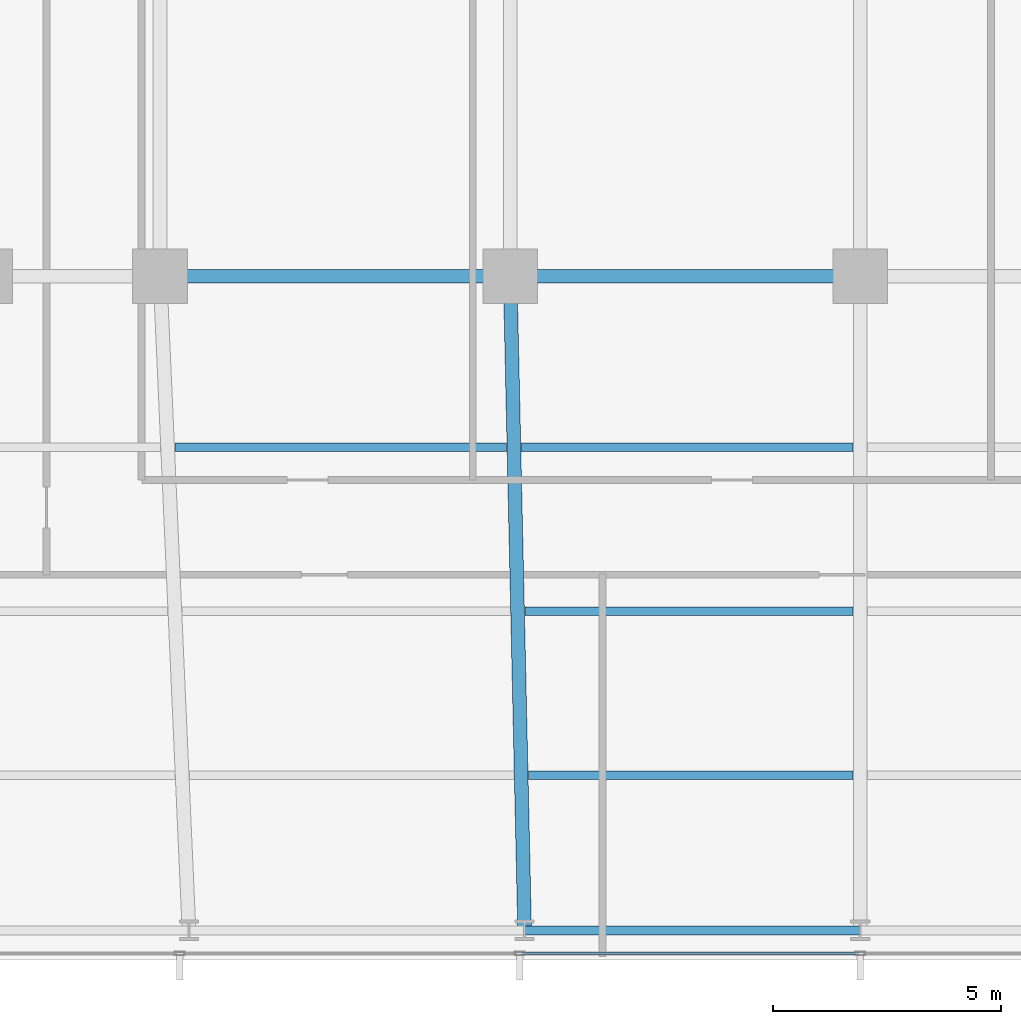
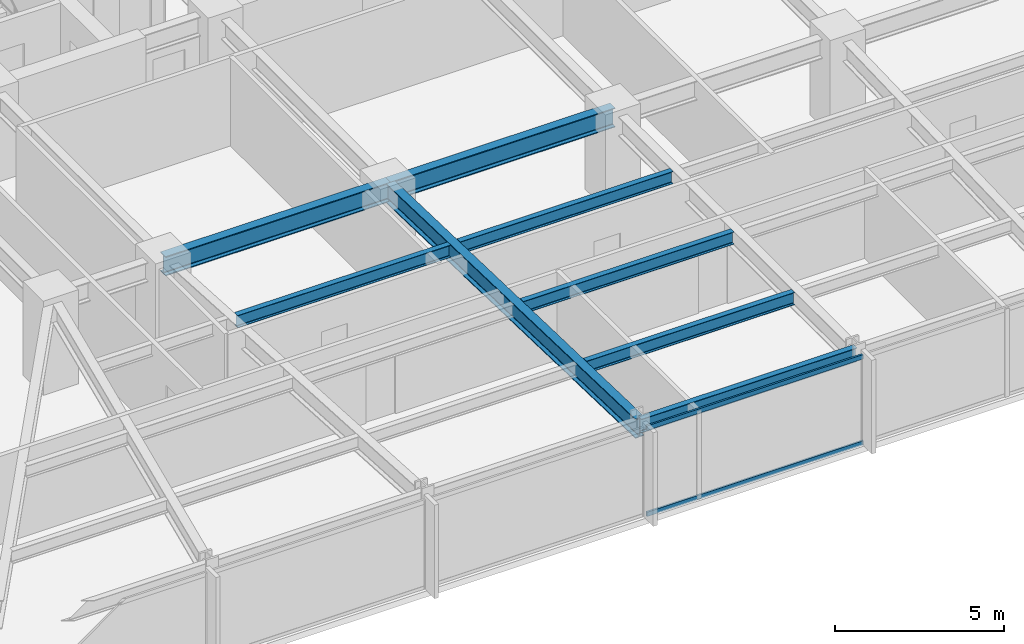
# One storey, part 6 of 32: 8 beams, 2 members, 1 element without a shape of its own.
"""IFC4 building model written with IfcOpenShell, lengths in metres."""

from ifc_helpers import new_model, si_unit, direction, frame, origin, origin_2d, place, context, subcontext, project, spatial, hollow_rectangle, i_section, extrude, material, material_profile, profile_set, type_object, element, aggregate, save


model = new_model("IFC4")

# Units and contexts
model_context = context("Model", 3, precision=1e-05, world=origin(), true_north=direction((0.0, 1.0)))
body_context = subcontext(model_context, "Body", "Model", "MODEL_VIEW")
ifc_project = project(units=[si_unit("LENGTHUNIT", "METRE"), si_unit("AREAUNIT", "SQUARE_METRE"), si_unit("VOLUMEUNIT", "CUBIC_METRE"), si_unit("PLANEANGLEUNIT", "RADIAN"), si_unit("MASSUNIT", "GRAM", prefix="KILO")], contexts=[model_context])

# Site, building, storey
site_placement = place(None, origin())
site = spatial("IfcSite", under=ifc_project, at=site_placement, CompositionType="ELEMENT")
building_placement = place(site_placement, origin())
building = spatial("IfcBuilding", under=site, at=building_placement, Name="Yelkora Congress Tower", CompositionType="ELEMENT")
storey_placement = place(building_placement, frame((0.0, 0.0, 33.800048828125)))
storey = spatial("IfcBuildingStorey", under=building, at=storey_placement, Name="L07", CompositionType="ELEMENT", Elevation=33.800048828125)

# Beams
ifc_material_1 = material(Name="Steel S355J2", Category="steel")
ifc_material_profile_1 = material_profile(ifc_material_1, i_section(OverallWidth=0.300048828125, OverallDepth=0.699951171875, WebThickness=0.01708984375, FlangeThickness=0.031982421875, FilletRadius=0.027099609375, at=origin_2d()), Name="HEB 700")
ifc_profile_set_1 = profile_set([ifc_material_profile_1], Name="Steel S355J2")
beam_type_1 = type_object("IfcBeamType", Name="BM-GIRD-HEB700", PredefinedType="BEAM", material=ifc_profile_set_1)
for number, where, z_axis, x_axis, name in (
    (1, (23.0400390625, 25.199951171875, 2.829833984375), (1.0, 0.0, 0.0), (0.0, 1.0, 0.0), "L07 Spine Grid D Girder 2"),
    (2, (30.719970703125, 25.199951171875, 2.829833984375), (1.0, 0.0, 0.0), (0.0, 1.0, 0.0), "L07 Spine Grid D Girder 3"),
):
    element("IfcBeam", number, at=place(storey_placement, frame(where, z_axis=z_axis, x_axis=x_axis)), inside=storey, type_object=beam_type_1, Name=name, PredefinedType="BEAM", context=body_context, shape_type="SweptSolid", body=[
        extrude(i_section(OverallWidth=0.300048828125, OverallDepth=0.699951171875, WebThickness=0.01708984375, FlangeThickness=0.031982421875, FilletRadius=0.027099609375, at=origin_2d()), origin(), (0.0, 0.0, 1.0), 7.679931640625),
    ])
beam_1_placement = place(storey_placement, frame((31.03759765625, 10.85009765625, 2.829833984375), z_axis=(-0.022129088136, 0.999755121746, 0.0), x_axis=(-0.999755121746, -0.022129088136, 0.0)))
element("IfcBeam", 3, at=beam_1_placement, inside=storey, type_object=beam_type_1, Name="L07 Primary Frame Girder S04", PredefinedType="BEAM", context=body_context, shape_type="SweptSolid", body=[
    extrude(i_section(OverallWidth=0.300048828125, OverallDepth=0.699951171875, WebThickness=0.01708984375, FlangeThickness=0.031982421875, FilletRadius=0.027099609375, at=origin_2d()), origin(), (0.0, 0.0, 1.0), 14.353271484375),
])
ifc_material_profile_2 = material_profile(ifc_material_1, i_section(OverallWidth=0.18994140625, OverallDepth=0.449951171875, WebThickness=0.009521484375, FlangeThickness=0.0146484375, FilletRadius=0.02099609375, at=origin_2d()), Name="IPE 450")
ifc_profile_set_2 = profile_set([ifc_material_profile_2], Name="Steel S355J2")
beam_type_2 = type_object("IfcBeamType", Name="BM-JOIST-IPE450", PredefinedType="JOIST", material=ifc_profile_set_2)
beam_2_placement = place(storey_placement, frame((31.122314453125, 14.25, 2.954833984375), z_axis=(1.0, 0.0, 0.0), x_axis=(0.0, 1.0, 0.0)))
element("IfcBeam", 4, at=beam_2_placement, inside=storey, type_object=beam_type_2, Name="L07 Composite Floor Joist 4", PredefinedType="JOIST", context=body_context, shape_type="SweptSolid", body=[
    extrude(i_section(OverallWidth=0.18994140625, OverallDepth=0.449951171875, WebThickness=0.009521484375, FlangeThickness=0.0146484375, FilletRadius=0.02099609375, at=origin_2d()), origin(), (0.0, 0.0, 1.0), 7.11767578125),
])
beam_3_placement = place(storey_placement, frame((31.04248046875, 17.85009765625, 2.954833984375), z_axis=(1.0, 0.0, 0.0), x_axis=(0.0, 1.0, 0.0)))
element("IfcBeam", 5, at=beam_3_placement, inside=storey, type_object=beam_type_2, Name="L07 Composite Floor Joist 12", PredefinedType="JOIST", context=body_context, shape_type="SweptSolid", body=[
    extrude(i_section(OverallWidth=0.18994140625, OverallDepth=0.449951171875, WebThickness=0.009521484375, FlangeThickness=0.0146484375, FilletRadius=0.02099609375, at=origin_2d()), origin(), (0.0, 0.0, 1.0), 7.197509765625),
])
for number, where, z_axis, x_axis, name in (
    (6, (23.365966796875, 21.449951171875, 2.954833984375), (1.0, 0.0, 0.0), (0.0, 1.0, 0.0), "L07 Composite Floor Joist 18"),
    (7, (30.962890625, 21.449951171875, 2.954833984375), (1.0, 0.0, 0.0), (0.0, 1.0, 0.0), "L07 Composite Floor Joist 19"),
):
    element("IfcBeam", number, at=place(storey_placement, frame(where, z_axis=z_axis, x_axis=x_axis)), inside=storey, type_object=beam_type_2, Name=name, PredefinedType="JOIST", context=body_context, shape_type="SweptSolid", body=[
        extrude(i_section(OverallWidth=0.18994140625, OverallDepth=0.449951171875, WebThickness=0.009521484375, FlangeThickness=0.0146484375, FilletRadius=0.02099609375, at=origin_2d()), origin(), (0.0, 0.0, 1.0), 7.277099609375),
    ])
ifc_material_profile_3 = material_profile(ifc_material_1, i_section(OverallWidth=0.199951171875, OverallDepth=0.5, WebThickness=0.01025390625, FlangeThickness=0.01611328125, FilletRadius=0.02099609375, at=origin_2d()), Name="IPE 500")
ifc_profile_set_3 = profile_set([ifc_material_profile_3], Name="Steel S355J2")
beam_type_3 = type_object("IfcBeamType", Name="BM-SPAN-IPE500", PredefinedType="SPANDREL", material=ifc_profile_set_3)
beam_4_placement = place(storey_placement, frame((31.03759765625, 10.85009765625, 2.929931640625), z_axis=(1.0, 0.0, 0.0), x_axis=(0.0, 1.0, 0.0)))
element("IfcBeam", 8, at=beam_4_placement, inside=storey, type_object=beam_type_3, Name="L07 Perimeter Beam 5", PredefinedType="SPANDREL", context=body_context, shape_type="SweptSolid", body=[
    extrude(i_section(OverallWidth=0.199951171875, OverallDepth=0.5, WebThickness=0.01025390625, FlangeThickness=0.01611328125, FilletRadius=0.02099609375, at=origin_2d()), origin(), (0.0, 0.0, 1.0), 7.3623046875),
])

# Curtain wall, members
ifc_material_2 = material(Name="Anodised aluminium and insulated glass", Category="aluminium")
curtain_wall_type = type_object("IfcCurtainWallType", Name="CW-SYS-B1", PredefinedType="NOTDEFINED", material=ifc_material_2)
curtain_wall_placement = place(storey_placement, origin())
curtain_wall = element("IfcCurtainWall", 9, at=curtain_wall_placement, inside=storey, type_object=curtain_wall_type, Name="L07 Unitised Curtain Wall 20", PredefinedType="NOTDEFINED")
ifc_material_3 = material(Name="Anodised aluminium 6063-T6", Category="aluminium")
ifc_material_profile_4 = material_profile(ifc_material_3, hollow_rectangle(XDim=0.06494140625, YDim=0.159912109375, WallThickness=0.00390625, at=origin_2d()), Name="ALU 65x160x4")
ifc_profile_set_4 = profile_set([ifc_material_profile_4], Name="Anodised aluminium 6063-T6")
member_type = type_object("IfcMemberType", Name="MEM-TR-B1", PredefinedType="USERDEFINED", material=ifc_profile_set_4)
member_1_placement = place(storey_placement, frame((38.362548828125, 10.340087890625, 0.032470703125), z_axis=(-1.0, 0.0, 0.0), x_axis=(0.0, -1.0, 0.0)))
member_1 = element("IfcMember", 10, at=member_1_placement, type_object=member_type, Name="CW-B1 transom 5.1", ObjectType="TRANSOM", PredefinedType="USERDEFINED", context=body_context, shape_type="SweptSolid", body=[
    extrude(hollow_rectangle(XDim=0.06494140625, YDim=0.159912109375, WallThickness=0.00390625, at=origin_2d()), origin(), (0.0, 0.0, 1.0), 7.39013671875),
])
member_2_placement = place(storey_placement, frame((38.362548828125, 10.340087890625, 3.1474609375), z_axis=(-1.0, 0.0, 0.0), x_axis=(0.0, -1.0, 0.0)))
member_2 = element("IfcMember", 11, at=member_2_placement, type_object=member_type, Name="CW-B1 transom 5.2", ObjectType="TRANSOM", PredefinedType="USERDEFINED", context=body_context, shape_type="SweptSolid", body=[
    extrude(hollow_rectangle(XDim=0.06494140625, YDim=0.159912109375, WallThickness=0.00390625, at=origin_2d()), origin(), (0.0, 0.0, 1.0), 7.39013671875),
])
aggregate(curtain_wall, [member_1, member_2])

save(model, "model.ifc")
